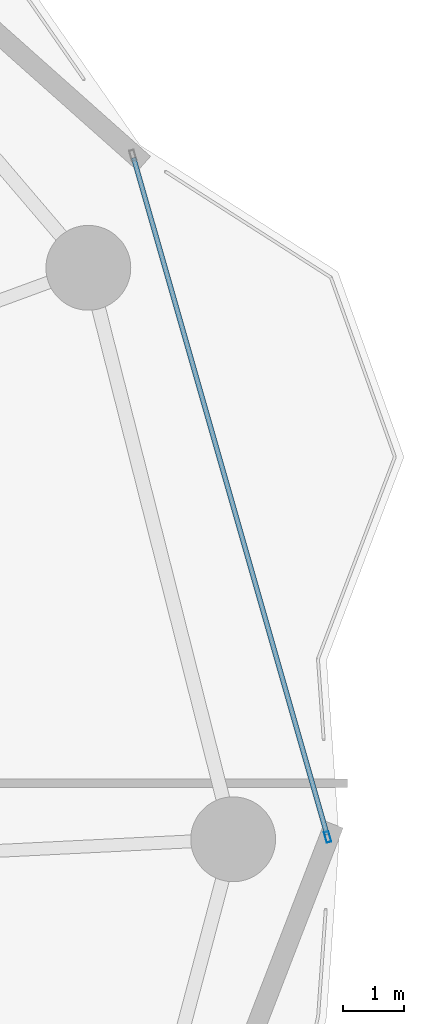
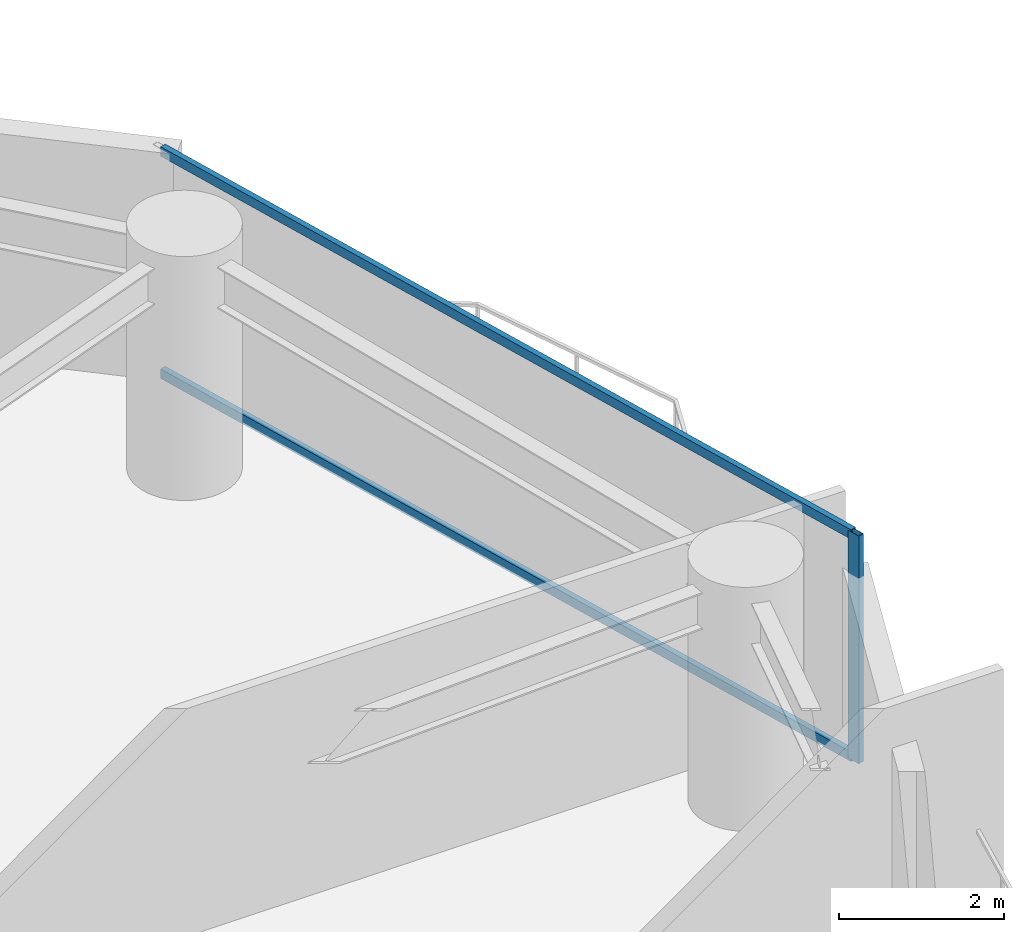
# One storey, part 24 of 31: 3 members, 1 element without a shape of its own.
"""IFC4 building model written with IfcOpenShell, lengths in metres."""

from ifc_helpers import new_model, si_unit, direction, frame, origin, origin_2d, place, context, subcontext, project, spatial, hollow_rectangle, extrude, material, layer, layer_set, material_profile, profile_set, type_object, element, aggregate, save


model = new_model("IFC4")

# Units and contexts
model_context = context("Model", 3, precision=1e-05, world=origin(), true_north=direction((0.0, 1.0)))
body_context = subcontext(model_context, "Body", "Model", "MODEL_VIEW")
ifc_project = project(units=[si_unit("LENGTHUNIT", "METRE"), si_unit("AREAUNIT", "SQUARE_METRE"), si_unit("VOLUMEUNIT", "CUBIC_METRE"), si_unit("PLANEANGLEUNIT", "RADIAN"), si_unit("MASSUNIT", "GRAM", prefix="KILO")], contexts=[model_context])

# Site, building, storey
site_placement = place(None, origin())
site = spatial("IfcSite", under=ifc_project, at=site_placement, CompositionType="ELEMENT")
building_placement = place(site_placement, origin())
building = spatial("IfcBuilding", under=site, at=building_placement, Name="Kazevale Care Tower and Concert Hall", CompositionType="ELEMENT")
storey_placement = place(building_placement, frame((0.0, 0.0, 78.0)))
storey = spatial("IfcBuildingStorey", under=building, at=storey_placement, Name="L20", CompositionType="ELEMENT", Elevation=78.0)

# Curtain wall, members
ifc_material_1 = material(Name="Aluminium 6063-T6 and Low-E Glass", Category="aluminium")
ifc_layer = layer(ifc_material_1, 0.179931640625)
ifc_layer_set = layer_set([ifc_layer], Name="Aluminium 6063-T6 and Low-E Glass")
curtain_wall_type = type_object("IfcCurtainWallType", Name="Waist & Upper Residential Curtain Wall CW-4", PredefinedType="NOTDEFINED", material=ifc_layer_set)
curtain_wall_placement = place(storey_placement, origin())
curtain_wall = element("IfcCurtainWall", 1, at=curtain_wall_placement, inside=storey, type_object=curtain_wall_type, Name="cw:L20:f18", PredefinedType="NOTDEFINED")
ifc_material_2 = material(Name="Aluminium 6063-T6", Category="aluminium")
ifc_material_profile_1 = material_profile(ifc_material_2, hollow_rectangle(XDim=0.080078125, YDim=0.179931640625, WallThickness=0.0048828125, at=origin_2d()), Name="ALU80x180x5")
ifc_profile_set_1 = profile_set([ifc_material_profile_1], Name="Aluminium 6063-T6")
member_type_1 = type_object("IfcMemberType", Name="CW-4 Mullion ALU80x180x5", PredefinedType="MULLION", material=ifc_profile_set_1)
member_1_placement = place(storey_placement, frame((78.009033203125, 38.03857421875, 0.0), z_axis=(0.0, 0.0, 1.0), x_axis=(0.961520742858, 0.274732344388, 0.0)))
member_1 = element("IfcMember", 2, at=member_1_placement, type_object=member_type_1, Name="CW-4 mullion 2", PredefinedType="MULLION", context=body_context, shape_type="SweptSolid", body=[
    extrude(hollow_rectangle(XDim=0.080078125, YDim=0.179931640625, WallThickness=0.0048828125, at=origin_2d()), origin(), (0.0, 0.0, 1.0), 3.360107421875),
])
ifc_material_profile_2 = material_profile(ifc_material_2, hollow_rectangle(XDim=0.080078125, YDim=0.139892578125, WallThickness=0.00390625, at=origin_2d()), Name="ALU80x140x4")
ifc_profile_set_2 = profile_set([ifc_material_profile_2], Name="Aluminium 6063-T6")
member_type_2 = type_object("IfcMemberType", Name="CW-4 Transom ALU80x140x4", PredefinedType="USERDEFINED", material=ifc_profile_set_2)
member_2_placement = place(storey_placement, frame((74.806884765625, 49.2451171875, 0.0400390625), z_axis=(0.274740560587, -0.961518395231, 0.0), x_axis=(0.961518395231, 0.274740560587, 0.0)))
member_2 = element("IfcMember", 3, at=member_2_placement, type_object=member_type_2, Name="CW-4 transom 1.1", ObjectType="TRANSOM", PredefinedType="USERDEFINED", context=body_context, shape_type="SweptSolid", body=[
    extrude(hollow_rectangle(XDim=0.080078125, YDim=0.139892578125, WallThickness=0.00390625, at=origin_2d()), origin(), (0.0, 0.0, 1.0), 11.615234375),
])
member_3_placement = place(storey_placement, frame((74.806884765625, 49.2451171875, 3.320068359375), z_axis=(0.274740560587, -0.961518395231, 0.0), x_axis=(0.961518395231, 0.274740560587, 0.0)))
member_3 = element("IfcMember", 4, at=member_3_placement, type_object=member_type_2, Name="CW-4 transom 1.2", ObjectType="TRANSOM", PredefinedType="USERDEFINED", context=body_context, shape_type="SweptSolid", body=[
    extrude(hollow_rectangle(XDim=0.080078125, YDim=0.139892578125, WallThickness=0.00390625, at=origin_2d()), origin(), (0.0, 0.0, 1.0), 11.615234375),
])
aggregate(curtain_wall, [member_1, member_2, member_3])

save(model, "model.ifc")
